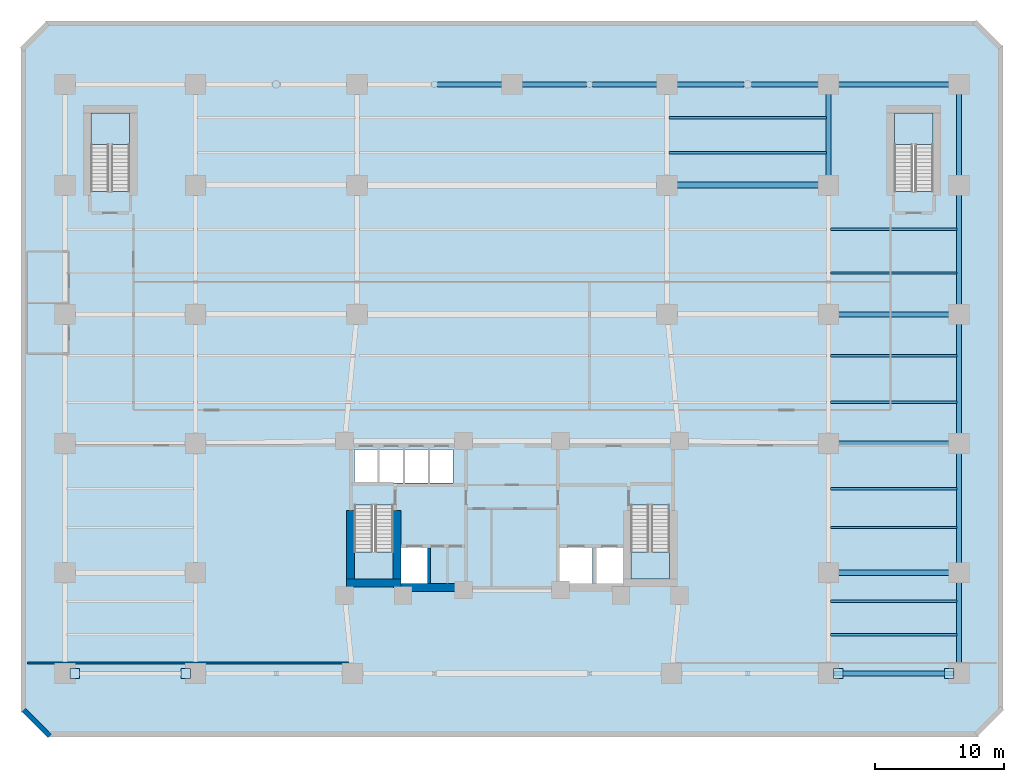
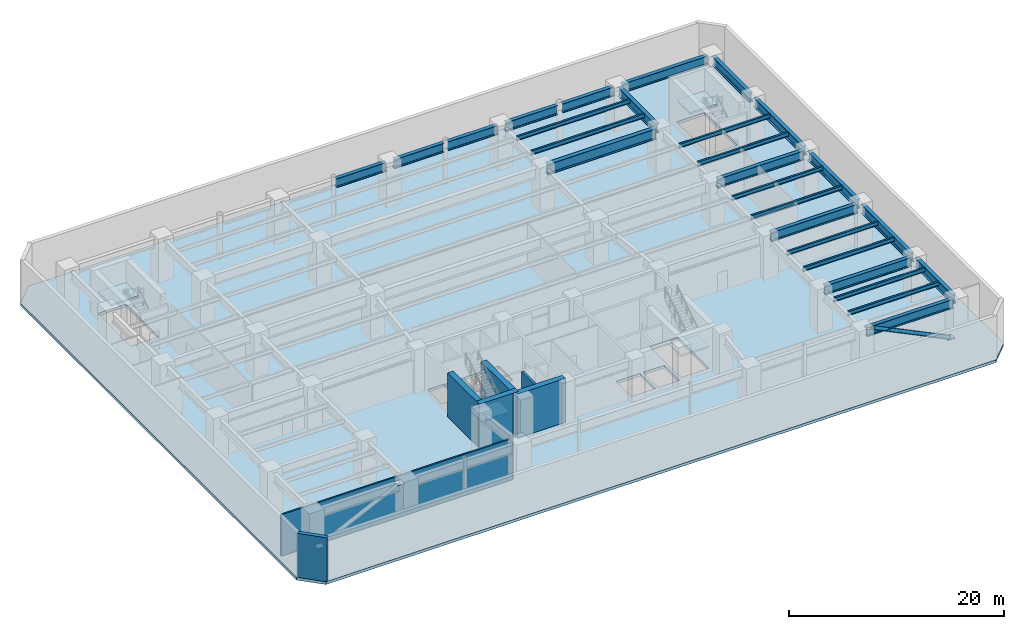
# One storey, part 5 of 12: 27 beams, 7 walls, 5 slabs, 4 plates, 1 member, 4 elements without a shape of their own.
"""IFC4 building model written with IfcOpenShell, lengths in metres."""

from ifc_helpers import new_model, si_unit, direction, frame, frame_2d, origin, origin_2d, place, context, subcontext, project, spatial, polyline, rectangle, hollow_circle, i_section, outline, extrude, material, layer, layer_set, material_profile, profile_set, type_object, element, aggregate, save


model = new_model("IFC4")

# Units and contexts
model_context = context("Model", 3, precision=1e-05, world=origin(), true_north=direction((0.0, 1.0)))
body_context = subcontext(model_context, "Body", "Model", "MODEL_VIEW")
ifc_project = project(units=[si_unit("LENGTHUNIT", "METRE"), si_unit("AREAUNIT", "SQUARE_METRE"), si_unit("VOLUMEUNIT", "CUBIC_METRE"), si_unit("PLANEANGLEUNIT", "RADIAN"), si_unit("MASSUNIT", "GRAM", prefix="KILO")], contexts=[model_context])

# Site, building, storey
site_placement = place(None, origin())
site = spatial("IfcSite", under=ifc_project, at=site_placement, CompositionType="ELEMENT")
building_placement = place(site_placement, origin())
building = spatial("IfcBuilding", under=site, at=building_placement, Name="Quenlor Broadcast Tower", CompositionType="ELEMENT")
storey_placement = place(building_placement, frame((0.0, 0.0, -5.0)))
storey = spatial("IfcBuildingStorey", under=building, at=storey_placement, Name="B01", CompositionType="ELEMENT", Elevation=-5.0)

# Member
ifc_material_1 = material(Name="Steel S355", Category="steel")
ifc_material_profile_1 = material_profile(ifc_material_1, hollow_circle(Radius=0.203125, WallThickness=0.01611328125, at=origin_2d()))
ifc_profile_set_1 = profile_set([ifc_material_profile_1], Name="Steel S355 CHS406x16")
member_type = type_object("IfcMemberType", Name="Basement Lateral Brace Steel S355 CHS406", PredefinedType="BRACE", material=ifc_profile_set_1)
member_placement = place(storey_placement, frame((33.840087890625, -22.800048828125, 0.35009765625), z_axis=(-0.899406983331, 0.0, 0.437112203371), x_axis=(0.0, -1.0, 0.0)))
element("IfcMember", 1, at=member_placement, inside=storey, type_object=member_type, Name="B01 Basement Lateral Brace PM6", PredefinedType="BRACE", context=body_context, shape_type="SweptSolid", body=[
    extrude(hollow_circle(Radius=0.203125, WallThickness=0.01611328125, at=origin_2d()), origin(), (0.0, 0.0, 1.0), 9.539794921875),
])

# Beams
ifc_material_2 = material(Name="Steel S355", Category="steel")
ifc_material_profile_2 = material_profile(ifc_material_2, i_section(OverallWidth=0.39990234375, OverallDepth=1.02392578125, WebThickness=0.01611328125, FlangeThickness=0.031982421875, FilletRadius=0.01611328125, at=origin_2d()))
ifc_profile_set_2 = profile_set([ifc_material_profile_2], Name="Steel S355 1000WB322")
beam_type_1 = type_object("IfcBeamType", Name="Podium Concourse Girder Steel S355 1000WB322", PredefinedType="BEAM", material=ifc_profile_set_2)
for number, where, z_axis, x_axis, name in (
    (2, (24.919921875, -22.800048828125, 4.18798828125), (1.0, 0.0, 0.0), (0.0, 1.0, 0.0), "B01 Podium Girder 9"),
    (3, (24.919921875, -15.0, 4.18798828125), (1.0, 0.0, 0.0), (0.0, 1.0, 0.0), "B01 Podium Girder 11"),
    (4, (24.919921875, -5.0, 4.18798828125), (1.0, 0.0, 0.0), (0.0, 1.0, 0.0), "B01 Podium Girder 13"),
    (5, (24.919921875, 5.0, 4.18798828125), (1.0, 0.0, 0.0), (0.0, 1.0, 0.0), "B01 Podium Girder 18"),
):
    element("IfcBeam", number, at=place(storey_placement, frame(where, z_axis=z_axis, x_axis=x_axis)), inside=storey, type_object=beam_type_1, Name=name, PredefinedType="BEAM", context=body_context, shape_type="SweptSolid", body=[
        extrude(i_section(OverallWidth=0.39990234375, OverallDepth=1.02392578125, WebThickness=0.01611328125, FlangeThickness=0.031982421875, FilletRadius=0.01611328125, at=origin_2d()), origin(), (0.0, 0.0, 1.0), 9.260009765625),
    ])
for number, where, z_axis, x_axis, name in (
    (6, (-5.76611328125, 22.800048828125, 4.18798828125), (1.0, 0.0, 0.0), (0.0, 1.0, 0.0), "B01 Podium Girder 28"),
    (7, (0.419921875, 22.800048828125, 4.18798828125), (1.0, 0.0, 0.0), (0.0, 1.0, 0.0), "B01 Podium Girder 29"),
    (8, (6.23388671875, 22.800048828125, 4.18798828125), (1.0, 0.0, 0.0), (0.0, 1.0, 0.0), "B01 Podium Girder 30"),
):
    element("IfcBeam", number, at=place(storey_placement, frame(where, z_axis=z_axis, x_axis=x_axis)), inside=storey, type_object=beam_type_1, Name=name, PredefinedType="BEAM", context=body_context, shape_type="SweptSolid", body=[
        extrude(i_section(OverallWidth=0.39990234375, OverallDepth=1.02392578125, WebThickness=0.01611328125, FlangeThickness=0.031982421875, FilletRadius=0.01611328125, at=origin_2d()), origin(), (0.0, 0.0, 1.0), 5.34619140625),
    ])
for number, where, z_axis, x_axis, name in (
    (9, (12.419921875, 22.800048828125, 4.18798828125), (1.0, 0.0, 0.0), (0.0, 1.0, 0.0), "B01 Podium Girder 31"),
    (10, (18.534912109375, 22.800048828125, 4.18798828125), (1.0, 0.0, 0.0), (0.0, 1.0, 0.0), "B01 Podium Girder 32"),
):
    element("IfcBeam", number, at=place(storey_placement, frame(where, z_axis=z_axis, x_axis=x_axis)), inside=storey, type_object=beam_type_1, Name=name, PredefinedType="BEAM", context=body_context, shape_type="SweptSolid", body=[
        extrude(i_section(OverallWidth=0.39990234375, OverallDepth=1.02392578125, WebThickness=0.01611328125, FlangeThickness=0.031982421875, FilletRadius=0.01611328125, at=origin_2d()), origin(), (0.0, 0.0, 1.0), 5.545166015625),
    ])
beam_1_placement = place(storey_placement, frame((24.919921875, 22.800048828125, 4.18798828125), z_axis=(1.0, 0.0, 0.0), x_axis=(0.0, 1.0, 0.0)))
element("IfcBeam", 11, at=beam_1_placement, inside=storey, type_object=beam_type_1, Name="B01 Podium Girder 33", PredefinedType="BEAM", context=body_context, shape_type="SweptSolid", body=[
    extrude(i_section(OverallWidth=0.39990234375, OverallDepth=1.02392578125, WebThickness=0.01611328125, FlangeThickness=0.031982421875, FilletRadius=0.01611328125, at=origin_2d()), origin(), (0.0, 0.0, 1.0), 9.260009765625),
])
for number, where, z_axis, x_axis, name in (
    (12, (24.5, 15.419921875, 4.18798828125), (0.0, 1.0, 0.0), (-1.0, 0.0, 0.0), "B01 Podium Girder 48"),
    (13, (34.60009765625, -22.3798828125, 4.18798828125), (0.0, 1.0, 0.0), (-1.0, 0.0, 0.0), "B01 Podium Girder 49"),
):
    element("IfcBeam", number, at=place(storey_placement, frame(where, z_axis=z_axis, x_axis=x_axis)), inside=storey, type_object=beam_type_1, Name=name, PredefinedType="BEAM", context=body_context, shape_type="SweptSolid", body=[
        extrude(i_section(OverallWidth=0.39990234375, OverallDepth=1.02392578125, WebThickness=0.01611328125, FlangeThickness=0.031982421875, FilletRadius=0.01611328125, at=origin_2d()), origin(), (0.0, 0.0, 1.0), 6.9599609375),
    ])
for number, where, z_axis, x_axis, name in (
    (14, (34.60009765625, -14.580078125, 4.18798828125), (0.0, 1.0, 0.0), (-1.0, 0.0, 0.0), "B01 Podium Girder 50"),
    (15, (34.60009765625, -4.580078125, 4.18798828125), (0.0, 1.0, 0.0), (-1.0, 0.0, 0.0), "B01 Podium Girder 51"),
    (16, (34.60009765625, 5.419921875, 4.18798828125), (0.0, 1.0, 0.0), (-1.0, 0.0, 0.0), "B01 Podium Girder 52"),
):
    element("IfcBeam", number, at=place(storey_placement, frame(where, z_axis=z_axis, x_axis=x_axis)), inside=storey, type_object=beam_type_1, Name=name, PredefinedType="BEAM", context=body_context, shape_type="SweptSolid", body=[
        extrude(i_section(OverallWidth=0.39990234375, OverallDepth=1.02392578125, WebThickness=0.01611328125, FlangeThickness=0.031982421875, FilletRadius=0.01611328125, at=origin_2d()), origin(), (0.0, 0.0, 1.0), 9.16015625),
    ])
beam_2_placement = place(storey_placement, frame((34.60009765625, 15.419921875, 4.18798828125), z_axis=(0.0, 1.0, 0.0), x_axis=(-1.0, 0.0, 0.0)))
element("IfcBeam", 17, at=beam_2_placement, inside=storey, type_object=beam_type_1, Name="B01 Podium Girder 53", PredefinedType="BEAM", context=body_context, shape_type="SweptSolid", body=[
    extrude(i_section(OverallWidth=0.39990234375, OverallDepth=1.02392578125, WebThickness=0.01611328125, FlangeThickness=0.031982421875, FilletRadius=0.01611328125, at=origin_2d()), origin(), (0.0, 0.0, 1.0), 6.9599609375),
])
ifc_material_3 = material(Name="Steel S355", Category="steel")
ifc_material_profile_3 = material_profile(ifc_material_3, i_section(OverallWidth=0.18994140625, OverallDepth=0.453857421875, WebThickness=0.008544921875, FlangeThickness=0.0126953125, FilletRadius=0.011474609375, at=origin_2d()))
ifc_profile_set_3 = profile_set([ifc_material_profile_3], Name="Steel S355 460UB67.1")
beam_type_2 = type_object("IfcBeamType", Name="Podium Floor Joist Steel S355 460UB67.1", PredefinedType="JOIST", material=ifc_profile_set_3)
for number, where, z_axis, x_axis, name in (
    (18, (24.659912109375, 8.199951171875, 4.47314453125), (1.0, 0.0, 0.0), (0.0, 1.0, 0.0), "B01 Podium Floor Joist 5"),
    (19, (24.659912109375, 11.60009765625, 4.47314453125), (1.0, 0.0, 0.0), (0.0, 1.0, 0.0), "B01 Podium Floor Joist 10"),
):
    element("IfcBeam", number, at=place(storey_placement, frame(where, z_axis=z_axis, x_axis=x_axis)), inside=storey, type_object=beam_type_2, Name=name, PredefinedType="JOIST", context=body_context, shape_type="SweptSolid", body=[
        extrude(i_section(OverallWidth=0.18994140625, OverallDepth=0.453857421875, WebThickness=0.008544921875, FlangeThickness=0.0126953125, FilletRadius=0.011474609375, at=origin_2d()), origin(), (0.0, 0.0, 1.0), 9.780029296875),
    ])
for number, where, z_axis, x_axis, name in (
    (20, (12.159912109375, 17.5, 4.47314453125), (1.0, 0.0, 0.0), (0.0, 1.0, 0.0), "B01 Podium Floor Joist 14"),
    (21, (12.159912109375, 20.199951171875, 4.47314453125), (1.0, 0.0, 0.0), (0.0, 1.0, 0.0), "B01 Podium Floor Joist 19"),
):
    element("IfcBeam", number, at=place(storey_placement, frame(where, z_axis=z_axis, x_axis=x_axis)), inside=storey, type_object=beam_type_2, Name=name, PredefinedType="JOIST", context=body_context, shape_type="SweptSolid", body=[
        extrude(i_section(OverallWidth=0.18994140625, OverallDepth=0.453857421875, WebThickness=0.008544921875, FlangeThickness=0.0126953125, FilletRadius=0.011474609375, at=origin_2d()), origin(), (0.0, 0.0, 1.0), 12.18017578125),
    ])
for number, where, z_axis, x_axis, name in (
    (22, (24.659912109375, -19.800048828125, 4.47314453125), (1.0, 0.0, 0.0), (0.0, 1.0, 0.0), "B01 Podium Floor Joist 22"),
    (23, (24.659912109375, -17.199951171875, 4.47314453125), (1.0, 0.0, 0.0), (0.0, 1.0, 0.0), "B01 Podium Floor Joist 24"),
    (24, (24.659912109375, -11.5, 4.47314453125), (1.0, 0.0, 0.0), (0.0, 1.0, 0.0), "B01 Podium Floor Joist 26"),
    (25, (24.659912109375, -8.5, 4.47314453125), (1.0, 0.0, 0.0), (0.0, 1.0, 0.0), "B01 Podium Floor Joist 28"),
    (26, (24.659912109375, -1.800048828125, 4.47314453125), (1.0, 0.0, 0.0), (0.0, 1.0, 0.0), "B01 Podium Floor Joist 30"),
    (27, (24.659912109375, 1.800048828125, 4.47314453125), (1.0, 0.0, 0.0), (0.0, 1.0, 0.0), "B01 Podium Floor Joist 32"),
):
    element("IfcBeam", number, at=place(storey_placement, frame(where, z_axis=z_axis, x_axis=x_axis)), inside=storey, type_object=beam_type_2, Name=name, PredefinedType="JOIST", context=body_context, shape_type="SweptSolid", body=[
        extrude(i_section(OverallWidth=0.18994140625, OverallDepth=0.453857421875, WebThickness=0.008544921875, FlangeThickness=0.0126953125, FilletRadius=0.011474609375, at=origin_2d()), origin(), (0.0, 0.0, 1.0), 9.780029296875),
    ])
ifc_material_4 = material(Name="Steel S355", Category="steel")
ifc_material_profile_4 = material_profile(ifc_material_4, i_section(OverallWidth=0.449951171875, OverallDepth=1.18798828125, WebThickness=0.01806640625, FlangeThickness=0.031982421875, FilletRadius=0.01611328125, at=origin_2d()))
ifc_profile_set_4 = profile_set([ifc_material_profile_4], Name="Steel S355 1200WB392")
beam_type_3 = type_object("IfcBeamType", Name="Podium Secondary Studio Girder Steel S355 1200WB392", PredefinedType="BEAM", material=ifc_profile_set_4)
beam_3_placement = place(storey_placement, frame((12.419921875, 15.0, 4.10595703125), z_axis=(1.0, 0.0, 0.0), x_axis=(0.0, 1.0, 0.0)))
element("IfcBeam", 28, at=beam_3_placement, inside=storey, type_object=beam_type_3, Name="B01 Podium Girder 22", PredefinedType="BEAM", context=body_context, shape_type="SweptSolid", body=[
    extrude(i_section(OverallWidth=0.449951171875, OverallDepth=1.18798828125, WebThickness=0.01806640625, FlangeThickness=0.031982421875, FilletRadius=0.01611328125, at=origin_2d()), origin(), (0.0, 0.0, 1.0), 11.66015625),
])

# Slab
ifc_material_5 = material(Name="Concrete C50/60", Category="concrete")
ifc_layer_1 = layer(ifc_material_5, 0.320068359375)
ifc_layer_set_1 = layer_set([ifc_layer_1], Name="Basement Concrete C50/60 Suspended Slab 320")
slab_type_1 = type_object("IfcSlabType", Name="Basement Concrete C50/60 Suspended Slab 320", PredefinedType="FLOOR", material=ifc_layer_set_1)
slab_1_placement = place(storey_placement, frame((0.0, 0.0, -0.320068359375)))
element("IfcSlab", 29, at=slab_1_placement, inside=storey, type_object=slab_type_1, Name="B01 Structural Floor Slab", PredefinedType="FLOOR", context=body_context, shape_type="SweptSolid", body=[
    extrude(outline(polyline([(-36.0, -27.699951171875), (36.0, -27.699951171875), (38.0, -25.699951171875), (38.0, 25.699951171875), (36.0, 27.699951171875), (-36.0, 27.699951171875), (-38.0, 25.699951171875), (-38.0, -25.699951171875), (-36.0, -27.699951171875)]), holes=[polyline([(-12.199951171875, -9.758056640625), (-12.199951171875, -15.5), (-9.199951171875, -15.5), (-9.199951171875, -9.758056640625), (-12.199951171875, -9.758056640625)]), polyline([(9.199951171875, -9.758056640625), (9.199951171875, -15.5), (12.199951171875, -15.5), (12.199951171875, -9.758056640625), (9.199951171875, -9.758056640625)]), polyline([(-29.60009765625, 14.508056640625), (-29.60009765625, 20.60009765625), (-32.60009765625, 20.60009765625), (-32.60009765625, 14.508056640625), (-29.60009765625, 14.508056640625)]), polyline([(32.60009765625, 14.508056640625), (32.60009765625, 20.60009765625), (29.60009765625, 20.60009765625), (29.60009765625, 14.508056640625), (32.60009765625, 14.508056640625)]), polyline([(-12.199951171875, -8.050048828125), (-10.39990234375, -8.050048828125), (-10.39990234375, -5.449951171875), (-12.199951171875, -5.449951171875), (-12.199951171875, -8.050048828125)]), polyline([(-10.25, -8.050048828125), (-8.449951171875, -8.050048828125), (-8.449951171875, -5.449951171875), (-10.25, -5.449951171875), (-10.25, -8.050048828125)]), polyline([(-8.300048828125, -8.050048828125), (-6.5, -8.050048828125), (-6.5, -5.449951171875), (-8.300048828125, -5.449951171875), (-8.300048828125, -8.050048828125)]), polyline([(-6.35009765625, -8.050048828125), (-4.550048828125, -8.050048828125), (-4.550048828125, -5.449951171875), (-6.35009765625, -5.449951171875), (-6.35009765625, -8.050048828125)]), polyline([(-8.85009765625, -15.85009765625), (-6.550048828125, -15.85009765625), (-6.550048828125, -13.050048828125), (-8.85009765625, -13.050048828125), (-8.85009765625, -15.85009765625)]), polyline([(6.550048828125, -15.85009765625), (8.85009765625, -15.85009765625), (8.85009765625, -13.050048828125), (6.550048828125, -13.050048828125), (6.550048828125, -15.85009765625)]), polyline([(3.64990234375, -15.85009765625), (6.25, -15.85009765625), (6.25, -13.050048828125), (3.64990234375, -13.050048828125), (3.64990234375, -15.85009765625)])]), origin(), (0.0, 0.0, 1.0), 0.320068359375),
])

# Plates
ifc_material_6 = material(Name="Steel S355", Category="steel")
ifc_layer_2 = layer(ifc_material_6, 0.028076171875)
ifc_layer_set_2 = layer_set([ifc_layer_2], Name="Perimeter Lattice Node Steel S355 Cap Plate 740x740x28")
plate_type = type_object("IfcPlateType", Name="Perimeter Lattice Node Steel S355 Cap Plate 740x740x28", PredefinedType="USERDEFINED", material=ifc_layer_set_2)
for number, where, z_axis, x_axis, name in (
    (30, (-33.840087890625, -22.800048828125, 0.3359375), (0.0, 0.0, 1.0), (1.0, 0.0, 0.0), "B01 Basement Brace End Plate PM1-1"),
    (31, (-25.260009765625, -22.800048828125, 4.505859375), (0.0, 0.0, 1.0), (1.0, 0.0, 0.0), "B01 Basement Brace End Plate PM1-2"),
    (32, (33.840087890625, -22.800048828125, 0.3359375), (0.0, 0.0, 1.0), (1.0, 0.0, 0.0), "B01 Basement Brace End Plate PM6-1"),
    (33, (25.260009765625, -22.800048828125, 4.505859375), (0.0, 0.0, 1.0), (1.0, 0.0, 0.0), "B01 Basement Brace End Plate PM6-2"),
):
    element("IfcPlate", number, at=place(storey_placement, frame(where, z_axis=z_axis, x_axis=x_axis)), inside=storey, type_object=plate_type, Name=name, ObjectType="CAP PLATE", PredefinedType="USERDEFINED", context=body_context, shape_type="SweptSolid", body=[
        extrude(rectangle(XDim=0.739990234375, YDim=0.739990234375, at=origin_2d()), origin(), (0.0, 0.0, 1.0), 0.028076171875),
    ])

# Stair, slab
ifc_material_7 = material(Name="Precast concrete C40/50", Category="concrete")
stair_type = type_object("IfcStairType", Name="Precast Concrete C40/50 Dogleg Stair H500", PredefinedType="HALF_TURN_STAIR", material=ifc_material_7)
stair_1_placement = place(storey_placement, origin())
stair_1 = element("IfcStair", 34, at=stair_1_placement, inside=storey, type_object=stair_type, Name="B01 West Core Fire-Isolated Exit Stair ST-1", PredefinedType="HALF_TURN_STAIR")
ifc_material_8 = material(Name="Precast concrete C40/50", Category="concrete")
ifc_layer_3 = layer(ifc_material_8, 0.199951171875)
ifc_layer_set_3 = layer_set([ifc_layer_3], Name="Precast Concrete C40/50 Stair Landing Slab 200")
slab_type_2 = type_object("IfcSlabType", Name="Precast Concrete C40/50 Stair Landing Slab 200", PredefinedType="LANDING", material=ifc_layer_set_3)
slab_2_placement = place(storey_placement, frame((0.0, 0.0, 2.300048828125)))
slab_2 = element("IfcSlab", 35, at=slab_2_placement, type_object=slab_type_2, Name="ST-1 landing 1", PredefinedType="LANDING", context=body_context, shape_type="SweptSolid", body=[
    extrude(outline(polyline([(-12.199951171875, -13.389892578125), (-12.199951171875, -15.5), (-9.199951171875, -15.5), (-9.199951171875, -13.389892578125), (-12.199951171875, -13.389892578125)])), origin(), (0.0, 0.0, 1.0), 0.199951171875),
])
aggregate(stair_1, [slab_2])

stair_2_placement = place(storey_placement, origin())
stair_2 = element("IfcStair", 36, at=stair_2_placement, inside=storey, type_object=stair_type, Name="B01 East Core Fire-Isolated Exit Stair ST-2", PredefinedType="HALF_TURN_STAIR")
slab_3_placement = place(storey_placement, frame((0.0, 0.0, 2.300048828125)))
slab_3 = element("IfcSlab", 37, at=slab_3_placement, type_object=slab_type_2, Name="ST-2 landing 1", PredefinedType="LANDING", context=body_context, shape_type="SweptSolid", body=[
    extrude(outline(polyline([(9.199951171875, -13.389892578125), (9.199951171875, -15.5), (12.199951171875, -15.5), (12.199951171875, -13.389892578125), (9.199951171875, -13.389892578125)])), origin(), (0.0, 0.0, 1.0), 0.199951171875),
])
aggregate(stair_2, [slab_3])

stair_3_placement = place(storey_placement, origin())
stair_3 = element("IfcStair", 38, at=stair_3_placement, inside=storey, type_object=stair_type, Name="B01 Station Podium North-West Exit Stair ST-3", PredefinedType="HALF_TURN_STAIR")
slab_4_placement = place(storey_placement, frame((0.0, 0.0, 2.300048828125)))
slab_4 = element("IfcSlab", 39, at=slab_4_placement, type_object=slab_type_2, Name="ST-3 landing 1", PredefinedType="LANDING", context=body_context, shape_type="SweptSolid", body=[
    extrude(outline(polyline([(-29.60009765625, 18.139892578125), (-29.60009765625, 20.60009765625), (-32.60009765625, 20.60009765625), (-32.60009765625, 18.139892578125), (-29.60009765625, 18.139892578125)])), origin(), (0.0, 0.0, 1.0), 0.199951171875),
])
aggregate(stair_3, [slab_4])

stair_4_placement = place(storey_placement, origin())
stair_4 = element("IfcStair", 40, at=stair_4_placement, inside=storey, type_object=stair_type, Name="B01 Station Podium North-East Exit Stair ST-4", PredefinedType="HALF_TURN_STAIR")
slab_5_placement = place(storey_placement, frame((0.0, 0.0, 2.300048828125)))
slab_5 = element("IfcSlab", 41, at=slab_5_placement, type_object=slab_type_2, Name="ST-4 landing 1", PredefinedType="LANDING", context=body_context, shape_type="SweptSolid", body=[
    extrude(outline(polyline([(32.60009765625, 18.139892578125), (32.60009765625, 20.60009765625), (29.60009765625, 20.60009765625), (29.60009765625, 18.139892578125), (32.60009765625, 18.139892578125)])), origin(), (0.0, 0.0, 1.0), 0.199951171875),
])
aggregate(stair_4, [slab_5])

# Walls
ifc_material_9 = material(Name="Concrete C65/80", Category="concrete")
ifc_layer_4 = layer(ifc_material_9, 0.60009765625)
ifc_layer_set_4 = layer_set([ifc_layer_4], Name="Core Concrete C65/80 Shear Wall 600")
wall_type_1 = type_object("IfcWallType", Name="Core Concrete C65/80 Shear Wall 600", PredefinedType="SHEAR", material=ifc_layer_set_4)
wall_1_placement = place(storey_placement, frame((-12.800048828125, -15.800048828125, 0.0), z_axis=(0.0, 0.0, 1.0), x_axis=(1.0, 0.0, 0.0)))
element("IfcWall", 42, at=wall_1_placement, inside=storey, type_object=wall_type_1, Name="B01 Core Shear Wall WS-W1", PredefinedType="SHEAR", context=body_context, shape_type="SweptSolid", body=[
    extrude(rectangle(XDim=4.199951171875, YDim=0.60009765625, at=frame_2d((2.10009765625, 0.0))), origin(), (0.0, 0.0, 1.0), 5.0),
])
wall_2_placement = place(storey_placement, frame((-8.89990234375, -16.14990234375, 0.0), z_axis=(0.0, 0.0, 1.0), x_axis=(1.0, 0.0, 0.0)))
element("IfcWall", 43, at=wall_2_placement, inside=storey, type_object=wall_type_1, Name="B01 Core Shear Wall WS-W2", PredefinedType="SHEAR", context=body_context, shape_type="SweptSolid", body=[
    extrude(rectangle(XDim=5.14990234375, YDim=0.60009765625, at=frame_2d((2.574951171875, 0.0))), origin(), (0.0, 0.0, 1.0), 5.0),
])
wall_3_placement = place(storey_placement, frame((-12.5, -15.800048828125, 0.0), z_axis=(0.0, 0.0, 1.0), x_axis=(0.0, 1.0, 0.0)))
element("IfcWall", 44, at=wall_3_placement, inside=storey, type_object=wall_type_1, Name="B01 Core Shear Wall WF-W", PredefinedType="SHEAR", context=body_context, shape_type="SweptSolid", body=[
    extrude(rectangle(XDim=5.60009765625, YDim=0.60009765625, at=frame_2d((2.800048828125, 0.0))), origin(), (0.0, 0.0, 1.0), 5.0),
])
wall_4_placement = place(storey_placement, frame((-8.89990234375, -16.14990234375, 0.0), z_axis=(0.0, 0.0, 1.0), x_axis=(0.0, 1.0, 0.0)))
element("IfcWall", 45, at=wall_4_placement, inside=storey, type_object=wall_type_1, Name="B01 Core Shear Wall WI-W", PredefinedType="SHEAR", context=body_context, shape_type="SweptSolid", body=[
    extrude(rectangle(XDim=5.949951171875, YDim=0.60009765625, at=frame_2d((2.97509765625, 0.0))), origin(), (0.0, 0.0, 1.0), 5.0),
])
ifc_material_10 = material(Name="Concrete C40/50", Category="concrete")
ifc_layer_5 = layer(ifc_material_10, 0.25)
ifc_layer_set_5 = layer_set([ifc_layer_5], Name="Fire Rated Concrete C40/50 Core Wall 250")
wall_type_2 = type_object("IfcWallType", Name="Fire Rated Concrete C40/50 Core Wall 250", PredefinedType="PARTITIONING", material=ifc_layer_set_5)
wall_5_placement = place(storey_placement, frame((-6.419921875, -15.847900390625, 0.0), z_axis=(0.0, 0.0, 1.0), x_axis=(0.0, 1.0, 0.0)))
element("IfcWall", 46, at=wall_5_placement, inside=storey, type_object=wall_type_2, Name="B01 Interior Wall CW-FF1-E", PredefinedType="PARTITIONING", context=body_context, shape_type="SweptSolid", body=[
    extrude(rectangle(XDim=2.7578125, YDim=0.25, at=frame_2d((1.37890625, 0.0))), origin(), (0.0, 0.0, 1.0), 4.699951171875),
])
ifc_material_11 = material(Name="Gypsum Fireboard Partition", Category="other")
ifc_layer_6 = layer(ifc_material_11, 0.159912109375)
ifc_layer_set_6 = layer_set([ifc_layer_6], Name="Fire Rated Shaft and Corridor Partition 160")
wall_type_3 = type_object("IfcWallType", Name="Fire Rated Shaft and Corridor Partition 160", PredefinedType="PARTITIONING", material=ifc_layer_set_6)
wall_6_placement = place(storey_placement, frame((-37.5, -21.97998046875, 0.0), z_axis=(0.0, 0.0, 1.0), x_axis=(1.0, 0.0, 0.0)))
element("IfcWall", 47, at=wall_6_placement, inside=storey, type_object=wall_type_3, Name="B01 Interior Wall PW-BM-BSW", PredefinedType="PARTITIONING", context=body_context, shape_type="SweptSolid", body=[
    extrude(rectangle(XDim=24.85009765625, YDim=0.159912109375, at=frame_2d((12.425048828125, 0.0))), origin(), (0.0, 0.0, 1.0), 4.699951171875),
])
ifc_material_12 = material(Name="Concrete C50/60", Category="concrete")
ifc_layer_7 = layer(ifc_material_12, 0.39990234375)
ifc_layer_set_7 = layer_set([ifc_layer_7], Name="Upper Basement Concrete C50/60 Retaining Wall 400")
wall_type_4 = type_object("IfcWallType", Name="Upper Basement Concrete C50/60 Retaining Wall 400", PredefinedType="USERDEFINED", material=ifc_layer_set_7)
wall_7_placement = place(storey_placement, frame((-35.775634765625, -27.641357421875, 0.0), z_axis=(0.0, 0.0, 1.0), x_axis=(-0.707149420363, 0.707064139439, 0.0)))
element("IfcWall", 48, at=wall_7_placement, inside=storey, type_object=wall_type_4, Name="B01 Perimeter Retaining Wall 1", ObjectType="RETAININGWALL", PredefinedType="USERDEFINED", context=body_context, shape_type="SweptSolid", body=[
    extrude(rectangle(XDim=2.86279296875, YDim=0.39990234375, at=frame_2d((1.431396484375, 0.0))), origin(), (0.0, 0.0, 1.0), 5.0),
])

save(model, "model.ifc")
